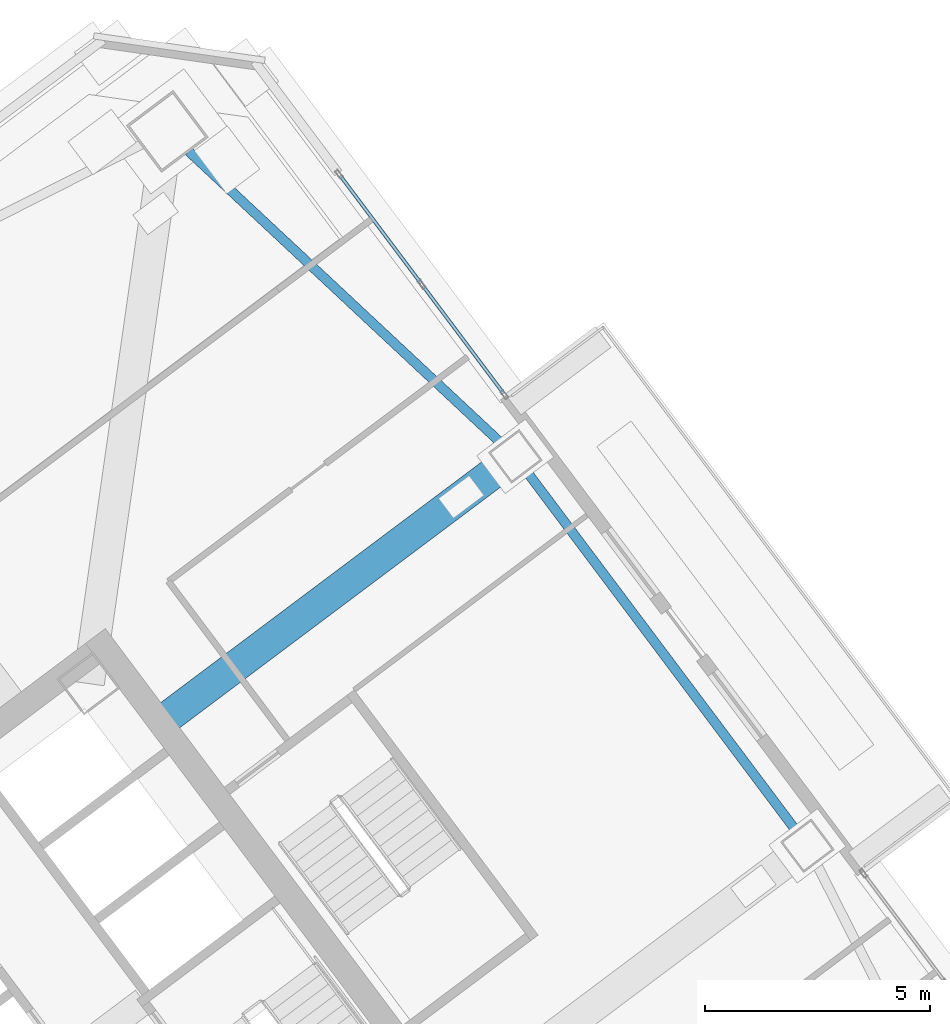
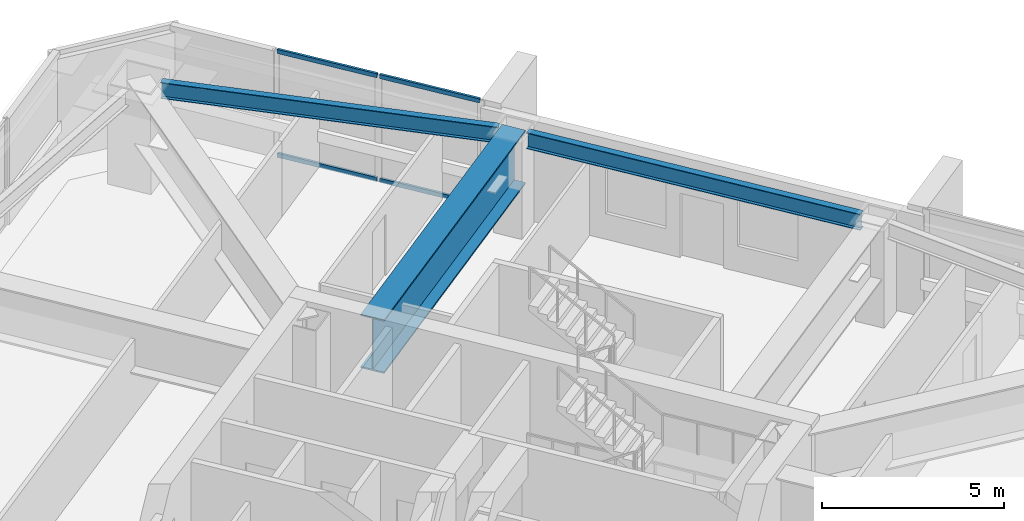
# One storey, part 28 of 42: 4 members, 3 beams, 1 element without a shape of its own.
"""IFC4 building model written with IfcOpenShell, lengths in metres."""

from ifc_helpers import new_model, si_unit, direction, frame, origin, origin_2d, place, context, subcontext, project, spatial, hollow_rectangle, i_section, extrude, material, material_profile, profile_set, type_object, element, aggregate, save


model = new_model("IFC4")

# Units and contexts
model_context = context("Model", 3, precision=1e-05, world=origin(), true_north=direction((0.0, 1.0)))
body_context = subcontext(model_context, "Body", "Model", "MODEL_VIEW")
ifc_project = project(units=[si_unit("LENGTHUNIT", "METRE"), si_unit("AREAUNIT", "SQUARE_METRE"), si_unit("VOLUMEUNIT", "CUBIC_METRE"), si_unit("PLANEANGLEUNIT", "RADIAN"), si_unit("MASSUNIT", "GRAM", prefix="KILO")], contexts=[model_context])

# Site, building, storey
site_placement = place(None, origin())
site = spatial("IfcSite", under=ifc_project, at=site_placement, CompositionType="ELEMENT")
building_placement = place(site_placement, origin())
building = spatial("IfcBuilding", under=site, at=building_placement, Name="Tashvorn Skyway Center", CompositionType="ELEMENT")
storey_placement = place(building_placement, frame((0.0, 0.0, 153.449951171875)))
storey = spatial("IfcBuildingStorey", under=building, at=storey_placement, Name="L41", CompositionType="ELEMENT", Elevation=153.449951171875)

# Beams
ifc_material_1 = material(Name="Steel ASTM A572 Grade 50", Category="steel")
ifc_material_profile_1 = material_profile(ifc_material_1, i_section(OverallWidth=0.699951171875, OverallDepth=1.800048828125, WebThickness=0.031982421875, FlangeThickness=0.050048828125, at=origin_2d()), Name="PG1800x700")
ifc_profile_set_1 = profile_set([ifc_material_profile_1], Name="Steel ASTM A572 Grade 50")
beam_type_1 = type_object("IfcBeamType", Name="BM-BEAM-PG1800x700", PredefinedType="BEAM", material=ifc_profile_set_1)
beam_1_placement = place(storey_placement, frame((124.8798828125, 46.909912109375, 2.469970703125), z_axis=(-0.800005936558, -0.599992084508, 0.0), x_axis=(0.599992084508, -0.800005936558, 0.0)))
element("IfcBeam", 1, at=beam_1_placement, inside=storey, type_object=beam_type_1, Name="Tower 2 L41 Setback Transfer Girder FC-E2", PredefinedType="BEAM", context=body_context, shape_type="SweptSolid", body=[
    extrude(i_section(OverallWidth=0.699951171875, OverallDepth=1.800048828125, WebThickness=0.031982421875, FlangeThickness=0.050048828125, at=origin_2d()), origin(), (0.0, 0.0, 1.0), 9.869873046875),
])
ifc_material_2 = material(Name="Steel ASTM A992 Grade 50", Category="steel")
ifc_material_profile_2 = material_profile(ifc_material_2, i_section(OverallWidth=0.2109375, OverallDepth=0.5390625, WebThickness=0.01171875, FlangeThickness=0.018798828125, at=origin_2d()), Name="W21X73")
ifc_profile_set_2 = profile_set([ifc_material_profile_2], Name="Steel ASTM A992 Grade 50")
beam_type_2 = type_object("IfcBeamType", Name="BM-SPANDREL-W21X73", PredefinedType="SPANDREL", material=ifc_profile_set_2)
beam_2_placement = place(storey_placement, frame((131.10791015625, 38.60595703125, 3.1005859375), z_axis=(-0.599988234018, 0.800008824351, 0.0), x_axis=(-0.800008824351, -0.599988234018, 0.0)))
element("IfcBeam", 2, at=beam_2_placement, inside=storey, type_object=beam_type_2, Name="Tower 2 L41 Spandrel Beam 05", PredefinedType="SPANDREL", context=body_context, shape_type="SweptSolid", body=[
    extrude(i_section(OverallWidth=0.2109375, OverallDepth=0.5390625, WebThickness=0.01171875, FlangeThickness=0.018798828125, at=origin_2d()), origin(), (0.0, 0.0, 1.0), 9.9599609375),
])
beam_3_placement = place(storey_placement, frame((124.572998046875, 47.19677734375, 3.1005859375), z_axis=(-0.730843250868, 0.682545341102, 0.0), x_axis=(-0.682545341102, -0.730843250868, 0.0)))
element("IfcBeam", 3, at=beam_3_placement, inside=storey, type_object=beam_type_2, Name="Tower 2 L41 Spandrel Beam 06", PredefinedType="SPANDREL", context=body_context, shape_type="SweptSolid", body=[
    extrude(i_section(OverallWidth=0.2109375, OverallDepth=0.5390625, WebThickness=0.01171875, FlangeThickness=0.018798828125, at=origin_2d()), origin(), (0.0, 0.0, 1.0), 9.498046875),
])

# Curtain wall, members
ifc_material_3 = material(Name="Thermally broken bronze-anodized aluminium 6063-T6", Category="aluminium")
curtain_wall_type = type_object("IfcCurtainWallType", Name="CW-CW-Z3", PredefinedType="NOTDEFINED", material=ifc_material_3)
curtain_wall_placement = place(storey_placement, origin())
curtain_wall = element("IfcCurtainWall", 4, at=curtain_wall_placement, inside=storey, type_object=curtain_wall_type, Name="Tower 2 L41 East Curtain Wall L Glazing Group 1", PredefinedType="NOTDEFINED")
ifc_material_profile_3 = material_profile(ifc_material_3, hollow_rectangle(XDim=0.074951171875, YDim=0.139892578125, WallThickness=0.004150390625, at=origin_2d()), Name="ALU-TRAN-75x140")
ifc_profile_set_3 = profile_set([ifc_material_profile_3], Name="Thermally broken bronze-anodized aluminium 6063-T6")
member_type = type_object("IfcMemberType", Name="CWT-CW-Z3", PredefinedType="USERDEFINED", material=ifc_profile_set_3)
member_1_placement = place(storey_placement, frame((120.9970703125, 53.13720703125, 0.03759765625), z_axis=(0.599986894404, -0.800009829029, 0.0), x_axis=(0.800009829029, 0.599986894404, 0.0)))
member_1 = element("IfcMember", 5, at=member_1_placement, type_object=member_type, Name="CW-Z3 transom 1.1", ObjectType="TRANSOM", PredefinedType="USERDEFINED", context=body_context, shape_type="SweptSolid", body=[
    extrude(hollow_rectangle(XDim=0.074951171875, YDim=0.139892578125, WallThickness=0.004150390625, at=origin_2d()), origin(), (0.0, 0.0, 1.0), 2.980712890625),
])
member_2_placement = place(storey_placement, frame((120.9970703125, 53.13720703125, 3.512451171875), z_axis=(0.599986894404, -0.800009829029, 0.0), x_axis=(0.800009829029, 0.599986894404, 0.0)))
member_2 = element("IfcMember", 6, at=member_2_placement, type_object=member_type, Name="CW-Z3 transom 1.2", ObjectType="TRANSOM", PredefinedType="USERDEFINED", context=body_context, shape_type="SweptSolid", body=[
    extrude(hollow_rectangle(XDim=0.074951171875, YDim=0.139892578125, WallThickness=0.004150390625, at=origin_2d()), origin(), (0.0, 0.0, 1.0), 2.980712890625),
])
member_3_placement = place(storey_placement, frame((122.83056640625, 50.692626953125, 0.03759765625), z_axis=(0.599986894404, -0.800009829029, 0.0), x_axis=(0.800009829029, 0.599986894404, 0.0)))
member_3 = element("IfcMember", 7, at=member_3_placement, type_object=member_type, Name="CW-Z3 transom 2.1", ObjectType="TRANSOM", PredefinedType="USERDEFINED", context=body_context, shape_type="SweptSolid", body=[
    extrude(hollow_rectangle(XDim=0.074951171875, YDim=0.139892578125, WallThickness=0.004150390625, at=origin_2d()), origin(), (0.0, 0.0, 1.0), 2.980712890625),
])
member_4_placement = place(storey_placement, frame((122.83056640625, 50.692626953125, 3.512451171875), z_axis=(0.599986894404, -0.800009829029, 0.0), x_axis=(0.800009829029, 0.599986894404, 0.0)))
member_4 = element("IfcMember", 8, at=member_4_placement, type_object=member_type, Name="CW-Z3 transom 2.2", ObjectType="TRANSOM", PredefinedType="USERDEFINED", context=body_context, shape_type="SweptSolid", body=[
    extrude(hollow_rectangle(XDim=0.074951171875, YDim=0.139892578125, WallThickness=0.004150390625, at=origin_2d()), origin(), (0.0, 0.0, 1.0), 2.980712890625),
])
aggregate(curtain_wall, [member_1, member_2, member_3, member_4])

save(model, "model.ifc")
